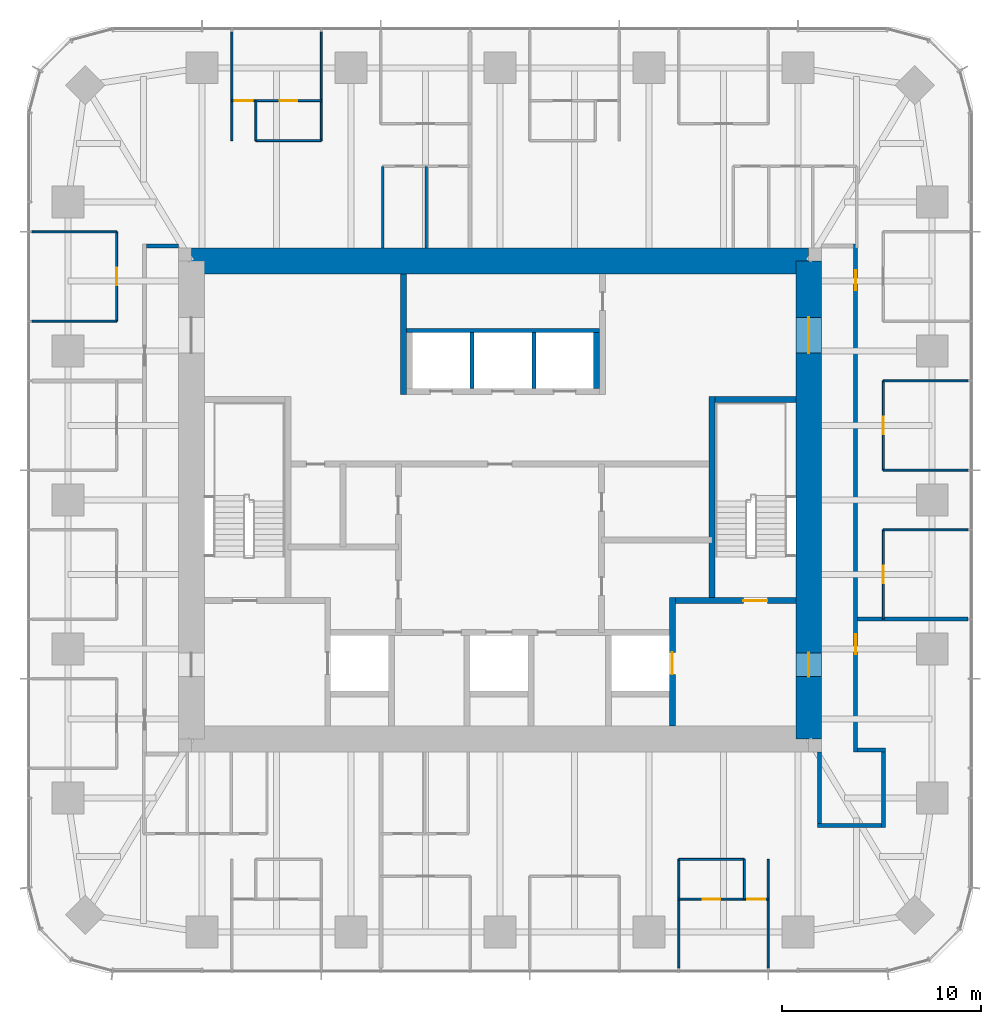
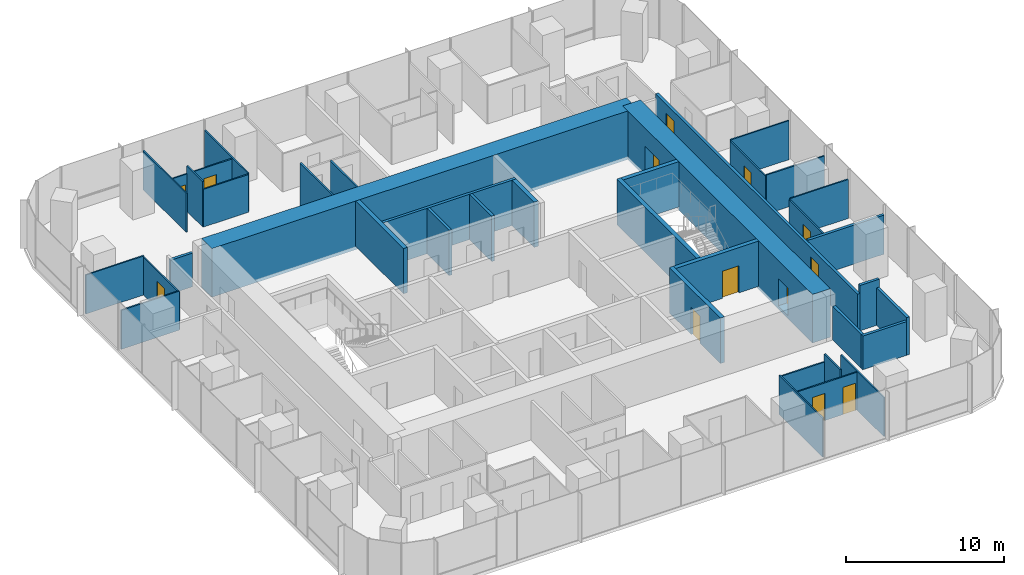
# One storey, part 10 of 12: 38 walls, 13 doors, 13 openings.
"""IFC4 building model written with IfcOpenShell, lengths in metres."""

from ifc_helpers import new_model, si_unit, direction, frame, frame_2d, origin, place, context, subcontext, project, spatial, rectangle, extrude, material, layer, layer_set, type_object, element, fill, save


model = new_model("IFC4")

# Units and contexts
model_context = context("Model", 3, precision=1e-05, world=origin(), true_north=direction((0.0, 1.0)))
body_context = subcontext(model_context, "Body", "Model", "MODEL_VIEW")
ifc_project = project(units=[si_unit("LENGTHUNIT", "METRE"), si_unit("AREAUNIT", "SQUARE_METRE"), si_unit("VOLUMEUNIT", "CUBIC_METRE"), si_unit("PLANEANGLEUNIT", "RADIAN"), si_unit("MASSUNIT", "GRAM", prefix="KILO")], contexts=[model_context])

# Site, building, storey
site_placement = place(None, origin())
site = spatial("IfcSite", under=ifc_project, at=site_placement, CompositionType="ELEMENT")
building_placement = place(site_placement, origin())
building = spatial("IfcBuilding", under=site, at=building_placement, Name="Khuree Lantern Residences", CompositionType="ELEMENT")
storey_placement = place(building_placement, frame((0.0, 0.0, 300.75)))
storey = spatial("IfcBuildingStorey", under=building, at=storey_placement, Name="L75", CompositionType="ELEMENT", Elevation=300.75)

# Walls
ifc_material_1 = material(Name="Moisture-resistant gypsum board on steel studs", Category="steel")
ifc_layer_1 = layer(ifc_material_1, 0.125)
ifc_layer_set_1 = layer_set([ifc_layer_1], Name="BATHROOM WALL BTW125")
wall_type_1 = type_object("IfcWallType", Name="BATHROOM WALL BTW125", PredefinedType="PARTITIONING", material=ifc_layer_set_1)
wall_1_placement = place(storey_placement, frame((-3.696044921875, 12.64990234375, 0.0), z_axis=(0.0, 0.0, 1.0), x_axis=(0.0, 1.0, 0.0)))
element("IfcWall", 1, at=wall_1_placement, inside=storey, type_object=wall_type_1, Name="L75 BATHROOM WALL 02", PredefinedType="PARTITIONING", context=body_context, shape_type="SweptSolid", body=[
    extrude(rectangle(XDim=4.096435546875, YDim=0.125, at=frame_2d((2.04833984375, 0.0))), origin(), (0.0, 0.0, 1.0), 2.909912109375),
])
wall_2_placement = place(storey_placement, frame((-5.89599609375, 12.64990234375, 0.0), z_axis=(0.0, 0.0, 1.0), x_axis=(0.0, 1.0, 0.0)))
element("IfcWall", 2, at=wall_2_placement, inside=storey, type_object=wall_type_1, Name="L75 BATHROOM WALL 02", PredefinedType="PARTITIONING", context=body_context, shape_type="SweptSolid", body=[
    extrude(rectangle(XDim=4.096435546875, YDim=0.125, at=frame_2d((2.04833984375, 0.0))), origin(), (0.0, 0.0, 1.0), 3.5),
])

# Wall, opening, door
ifc_material_2 = material(Name="Dense concrete blockwork", Category="masonry")
ifc_layer_2 = layer(ifc_material_2, 0.300048828125)
ifc_layer_set_2 = layer_set([ifc_layer_2], Name="CORE PARTITION WALL CPW300 EI 120")
wall_type_2 = type_object("IfcWallType", Name="CORE PARTITION WALL CPW300 EI 120", PredefinedType="PARTITIONING", material=ifc_layer_set_2)
wall_3_placement = place(storey_placement, frame((8.64990234375, -11.35009765625, 0.0), z_axis=(0.0, 0.0, 1.0), x_axis=(0.0, 1.0, 0.0)))
wall_3 = element("IfcWall", 3, at=wall_3_placement, inside=storey, type_object=wall_type_2, Name="L75 CORE WALL FL2E", PredefinedType="PARTITIONING", context=body_context, shape_type="SweptSolid", body=[
    extrude(rectangle(XDim=6.4501953125, YDim=0.300048828125, at=frame_2d((3.22509765625, 0.0))), origin(), (0.0, 0.0, 1.0), 3.5),
])
opening_1_placement = place(wall_3_placement, frame((2.60009765625, 0.0, 0.0)))
opening_1 = element("IfcOpeningElement", 4, at=opening_1_placement, cuts=wall_3, Name="Opening 75-008", PredefinedType="OPENING", context=body_context, shape_type="SweptSolid", body=[
    extrude(rectangle(XDim=1.10009765625, YDim=2.10009765625, at=frame_2d((0.550048828125, 1.050048828125))), frame((0.0, 0.16015625, 0.0), z_axis=(0.0, -1.0, 0.0), x_axis=(1.0, 0.0, 0.0)), (0.0, 0.0, 1.0), 0.320068359375),
])
ifc_material_3 = material(Name="Stainless steel lift landing door", Category="steel")
door_type_1 = type_object("IfcDoorType", Name="LIFT LANDING DOOR 1100X2100 E 120", OperationType="DOUBLE_DOOR_SLIDING", PredefinedType="DOOR", material=ifc_material_3)
door_1_placement = place(opening_1_placement, origin())
door_1 = element("IfcDoor", 5, at=door_1_placement, inside=storey, type_object=door_type_1, Name="Landing door FL2 75-008", OperationType="DOUBLE_DOOR_SLIDING", OverallHeight=2.10009765625, OverallWidth=1.10009765625, PredefinedType="DOOR", context=body_context, shape_type="SweptSolid", body=[
    extrude(rectangle(XDim=1.10009765625, YDim=2.10009765625, at=frame_2d((0.550048828125, 1.050048828125))), frame((0.0, 0.02490234375, 0.0), z_axis=(0.0, -1.0, 0.0), x_axis=(1.0, 0.0, 0.0)), (0.0, 0.0, 1.0), 0.050048828125),
])
fill(opening_1, door_1)

# Walls
wall_4_placement = place(storey_placement, frame((4.85009765625, 5.60009765625, 0.0), z_axis=(0.0, 0.0, 1.0), x_axis=(0.0, 1.0, 0.0)))
element("IfcWall", 6, at=wall_4_placement, inside=storey, type_object=wall_type_2, Name="L75 CORE WALL PHE", PredefinedType="PARTITIONING", context=body_context, shape_type="SweptSolid", body=[
    extrude(rectangle(XDim=2.7998046875, YDim=0.300048828125, at=frame_2d((1.39990234375, 0.0))), origin(), (0.0, 0.0, 1.0), 3.5),
])
wall_5_placement = place(storey_placement, frame((-4.85009765625, 5.300048828125, 0.0), z_axis=(0.0, 0.0, 1.0), x_axis=(0.0, 1.0, 0.0)))
element("IfcWall", 7, at=wall_5_placement, inside=storey, type_object=wall_type_2, Name="L75 CORE WALL NW", PredefinedType="PARTITIONING", context=body_context, shape_type="SweptSolid", body=[
    extrude(rectangle(XDim=6.050048828125, YDim=0.300048828125, at=frame_2d((3.02490234375, 0.0))), origin(), (0.0, 0.0, 1.0), 3.5),
])
ifc_material_4 = material(Name="Gypsum board on steel studs", Category="steel")
ifc_layer_3 = layer(ifc_material_4, 0.199951171875)
ifc_layer_set_3 = layer_set([ifc_layer_3], Name="CORRIDOR WALL CRW200 EI 60")
wall_type_3 = type_object("IfcWallType", Name="CORRIDOR WALL CRW200 EI 60", PredefinedType="PARTITIONING", material=ifc_layer_set_3)
wall_6_placement = place(storey_placement, frame((17.949951171875, -12.550048828125, 0.0), z_axis=(0.0, 0.0, 1.0), x_axis=(1.0, 0.0, 0.0)))
element("IfcWall", 8, at=wall_6_placement, inside=storey, type_object=wall_type_3, Name="L75 RESIDENTS LOUNGE WALL", PredefinedType="PARTITIONING", context=body_context, shape_type="SweptSolid", body=[
    extrude(rectangle(XDim=1.400146484375, YDim=0.199951171875, at=frame_2d((0.7001953125, 0.0))), origin(), (0.0, 0.0, 1.0), 3.5),
])
wall_7_placement = place(storey_placement, frame((19.25, -12.449951171875, 0.0), z_axis=(0.0, 0.0, 1.0), x_axis=(0.0, -1.0, 0.0)))
element("IfcWall", 9, at=wall_7_placement, inside=storey, type_object=wall_type_3, Name="L75 RESIDENTS LOUNGE WALL", PredefinedType="PARTITIONING", context=body_context, shape_type="SweptSolid", body=[
    extrude(rectangle(XDim=4.0, YDim=0.199951171875, at=frame_2d((2.0, 0.0))), origin(), (0.0, 0.0, 1.0), 2.89990234375),
])
wall_8_placement = place(storey_placement, frame((19.14990234375, -16.35009765625, 0.0), z_axis=(0.0, 0.0, 1.0), x_axis=(-1.0, 0.0, 0.0)))
element("IfcWall", 10, at=wall_8_placement, inside=storey, type_object=wall_type_3, Name="L75 RESIDENTS LOUNGE WALL", PredefinedType="PARTITIONING", context=body_context, shape_type="SweptSolid", body=[
    extrude(rectangle(XDim=3.199951171875, YDim=0.199951171875, at=frame_2d((1.60009765625, 0.0))), origin(), (0.0, 0.0, 1.0), 2.60009765625),
])
wall_9_placement = place(storey_placement, frame((16.050048828125, -16.449951171875, 0.0), z_axis=(0.0, 0.0, 1.0), x_axis=(0.0, 1.0, 0.0)))
element("IfcWall", 11, at=wall_9_placement, inside=storey, type_object=wall_type_3, Name="L75 RESIDENTS LOUNGE WALL", PredefinedType="PARTITIONING", context=body_context, shape_type="SweptSolid", body=[
    extrude(rectangle(XDim=3.800048828125, YDim=0.199951171875, at=frame_2d((1.89990234375, 0.0))), origin(), (0.0, 0.0, 1.0), 2.60009765625),
])
wall_10_placement = place(storey_placement, frame((-16.14990234375, 12.75, 0.0), z_axis=(0.0, 0.0, 1.0), x_axis=(-1.0, 0.0, 0.0)))
element("IfcWall", 12, at=wall_10_placement, inside=storey, type_object=wall_type_3, Name="L75 WEST CORRIDOR NORTH END WALL", PredefinedType="PARTITIONING", context=body_context, shape_type="SweptSolid", body=[
    extrude(rectangle(XDim=1.60009765625, YDim=0.199951171875, at=frame_2d((0.800048828125, 0.0))), origin(), (0.0, 0.0, 1.0), 2.60009765625),
])

# Wall, openings, doors
wall_11_placement = place(storey_placement, frame((17.85009765625, -12.64990234375, 0.0), z_axis=(0.0, 0.0, 1.0), x_axis=(0.0, 1.0, 0.0)))
wall_11 = element("IfcWall", 13, at=wall_11_placement, inside=storey, type_object=wall_type_3, Name="L75 CORRIDOR WALL EAST 1", PredefinedType="PARTITIONING", context=body_context, shape_type="SweptSolid", body=[
    extrude(rectangle(XDim=25.5, YDim=0.199951171875, at=frame_2d((12.75, 0.0))), origin(), (0.0, 0.0, 1.0), 2.89990234375),
])
opening_2_placement = place(wall_11_placement, frame((23.18603515625, 0.0, 0.0)))
opening_2 = element("IfcOpeningElement", 14, at=opening_2_placement, cuts=wall_11, Name="Opening 75-031", PredefinedType="OPENING", context=body_context, shape_type="SweptSolid", body=[
    extrude(rectangle(XDim=1.0, YDim=2.199951171875, at=frame_2d((0.5, 1.10009765625))), frame((0.0, 0.10986328125, 0.0), z_axis=(0.0, -1.0, 0.0), x_axis=(1.0, 0.0, 0.0)), (0.0, 0.0, 1.0), 0.219970703125),
])
opening_3_placement = place(wall_11_placement, frame((4.89990234375, 0.0, 0.0)))
opening_3 = element("IfcOpeningElement", 15, at=opening_3_placement, cuts=wall_11, Name="Opening 75-054", PredefinedType="OPENING", context=body_context, shape_type="SweptSolid", body=[
    extrude(rectangle(XDim=1.0, YDim=2.199951171875, at=frame_2d((0.5, 1.10009765625))), frame((0.0, 0.10986328125, 0.0), z_axis=(0.0, -1.0, 0.0), x_axis=(1.0, 0.0, 0.0)), (0.0, 0.0, 1.0), 0.219970703125),
])
ifc_material_5 = material(Name="Timber door leaf in hardwood frame", Category="wood")
door_type_2 = type_object("IfcDoorType", Name="APARTMENT ENTRANCE DOOR 1000X2200 EI 30S", OperationType="SINGLE_SWING_LEFT", PredefinedType="DOOR", material=ifc_material_5)
door_2_placement = place(opening_3_placement, origin())
door_2 = element("IfcDoor", 16, at=door_2_placement, inside=storey, type_object=door_type_2, Name="Apartment 04 entrance door 75-054", OperationType="SINGLE_SWING_LEFT", OverallHeight=2.199951171875, OverallWidth=1.0, PredefinedType="DOOR", context=body_context, shape_type="SweptSolid", body=[
    extrude(rectangle(XDim=1.0, YDim=2.199951171875, at=frame_2d((0.5, 1.10009765625))), frame((0.0, 0.02490234375, 0.0), z_axis=(0.0, -1.0, 0.0), x_axis=(1.0, 0.0, 0.0)), (0.0, 0.0, 1.0), 0.050048828125),
])
fill(opening_3, door_2)
door_type_3 = type_object("IfcDoorType", Name="APARTMENT ENTRANCE DOOR 1000X2200 EI 30S RIGHT HAND", OperationType="SINGLE_SWING_RIGHT", PredefinedType="DOOR", material=ifc_material_5)
door_3_placement = place(opening_2_placement, origin())
door_3 = element("IfcDoor", 17, at=door_3_placement, inside=storey, type_object=door_type_3, Name="Apartment 01 entrance door 75-031", OperationType="SINGLE_SWING_RIGHT", OverallHeight=2.199951171875, OverallWidth=1.0, PredefinedType="DOOR", context=body_context, shape_type="SweptSolid", body=[
    extrude(rectangle(XDim=1.0, YDim=2.199951171875, at=frame_2d((0.5, 1.10009765625))), frame((0.0, 0.02490234375, 0.0), z_axis=(0.0, -1.0, 0.0), x_axis=(1.0, 0.0, 0.0)), (0.0, 0.0, 1.0), 0.050048828125),
])
fill(opening_2, door_3)

ifc_material_6 = material(Name="Concrete C50/60", Category="concrete")
ifc_layer_4 = layer(ifc_material_6, 1.300048828125)
ifc_layer_set_4 = layer_set([ifc_layer_4], Name="CW1300-C50 CORE WALL C50 1300")
wall_type_4 = type_object("IfcWallType", Name="CW1300-C50 CORE WALL C50 1300", PredefinedType="SHEAR", material=ifc_layer_set_4)
wall_12_placement = place(storey_placement, frame((15.5, -12.0, -0.25), z_axis=(0.0, 0.0, 1.0), x_axis=(0.0, 1.0, 0.0)))
wall_12 = element("IfcWall", 18, at=wall_12_placement, inside=storey, type_object=wall_type_4, Name="Core wall E", PredefinedType="SHEAR", context=body_context, shape_type="SweptSolid", body=[
    extrude(rectangle(XDim=24.0, YDim=1.300048828125, at=frame_2d((12.0, 0.0))), origin(), (0.0, 0.0, 1.0), 3.75),
])
opening_4_placement = place(wall_12_placement, frame((3.125, 0.0, 0.25)))
opening_4 = element("IfcOpeningElement", 19, at=opening_4_placement, cuts=wall_12, Name="Opening 75-005", PredefinedType="OPENING", context=body_context, shape_type="SweptSolid", body=[
    extrude(rectangle(XDim=1.199951171875, YDim=2.10009765625, at=frame_2d((0.60009765625, 1.050048828125))), frame((0.0, 0.66015625, 0.0), z_axis=(0.0, -1.0, 0.0), x_axis=(1.0, 0.0, 0.0)), (0.0, 0.0, 1.0), 1.320068359375),
])
opening_5_placement = place(wall_12_placement, frame((19.375, 0.0, 0.25)))
opening_5 = element("IfcOpeningElement", 20, at=opening_5_placement, cuts=wall_12, Name="Opening 75-006", PredefinedType="OPENING", context=body_context, shape_type="SweptSolid", body=[
    extrude(rectangle(XDim=1.800048828125, YDim=2.10009765625, at=frame_2d((0.89990234375, 1.050048828125))), frame((0.0, 0.66015625, 0.0), z_axis=(0.0, -1.0, 0.0), x_axis=(1.0, 0.0, 0.0)), (0.0, 0.0, 1.0), 1.320068359375),
])
ifc_material_7 = material(Name="Steel door leaf in steel frame", Category="steel")
door_type_4 = type_object("IfcDoorType", Name="LOBBY DOOR 1200X2100 EI 120", OperationType="SINGLE_SWING_LEFT", PredefinedType="DOOR", material=ifc_material_7)
door_4_placement = place(opening_4_placement, origin())
door_4 = element("IfcDoor", 21, at=door_4_placement, inside=storey, type_object=door_type_4, Name="Firefighting lobby door 75-005", OperationType="SINGLE_SWING_LEFT", OverallHeight=2.10009765625, OverallWidth=1.199951171875, PredefinedType="DOOR", context=body_context, shape_type="SweptSolid", body=[
    extrude(rectangle(XDim=1.199951171875, YDim=2.10009765625, at=frame_2d((0.60009765625, 1.050048828125))), frame((0.0, 0.02490234375, 0.0), z_axis=(0.0, -1.0, 0.0), x_axis=(1.0, 0.0, 0.0)), (0.0, 0.0, 1.0), 0.050048828125),
])
fill(opening_4, door_4)
door_type_5 = type_object("IfcDoorType", Name="LOBBY DOUBLE DOOR 1800X2100 EI 60", OperationType="DOUBLE_DOOR_SINGLE_SWING", PredefinedType="DOOR", material=ifc_material_7)
door_5_placement = place(opening_5_placement, origin())
door_5 = element("IfcDoor", 22, at=door_5_placement, inside=storey, type_object=door_type_5, Name="Lift lobby door 75-006", OperationType="DOUBLE_DOOR_SINGLE_SWING", OverallHeight=2.10009765625, OverallWidth=1.800048828125, PredefinedType="DOOR", context=body_context, shape_type="SweptSolid", body=[
    extrude(rectangle(XDim=1.800048828125, YDim=2.10009765625, at=frame_2d((0.89990234375, 1.050048828125))), frame((0.0, 0.02490234375, 0.0), z_axis=(0.0, -1.0, 0.0), x_axis=(1.0, 0.0, 0.0)), (0.0, 0.0, 1.0), 0.050048828125),
])
fill(opening_5, door_5)

# Walls
wall_13_placement = place(storey_placement, frame((-15.5, 12.0, -0.25), z_axis=(0.0, 0.0, 1.0), x_axis=(1.0, 0.0, 0.0)))
element("IfcWall", 23, at=wall_13_placement, inside=storey, type_object=wall_type_4, Name="Core wall N", PredefinedType="SHEAR", context=body_context, shape_type="SweptSolid", body=[
    extrude(rectangle(XDim=31.0, YDim=1.300048828125, at=frame_2d((15.5, 0.0))), origin(), (0.0, 0.0, 1.0), 3.75),
])
ifc_layer_5 = layer(ifc_material_4, 0.199951171875)
ifc_layer_set_5 = layer_set([ifc_layer_5], Name="DEMISING WALL DMW200 EI 90")
wall_type_5 = type_object("IfcWallType", Name="DEMISING WALL DMW200 EI 90", PredefinedType="PARTITIONING", material=ifc_layer_set_5)
wall_14_placement = place(storey_placement, frame((17.949951171875, -5.98388671875, 0.0), z_axis=(0.0, 0.0, 1.0), x_axis=(1.0, 0.0, 0.0)))
element("IfcWall", 24, at=wall_14_placement, inside=storey, type_object=wall_type_5, Name="L75 DEMISING WALL 01", PredefinedType="PARTITIONING", context=body_context, shape_type="SweptSolid", body=[
    extrude(rectangle(XDim=5.550048828125, YDim=0.199951171875, at=frame_2d((2.77490234375, 0.0))), origin(), (0.0, 0.0, 1.0), 3.010009765625),
])
ifc_layer_6 = layer(ifc_material_4, 0.10009765625)
ifc_layer_set_6 = layer_set([ifc_layer_6], Name="PARTITION PT100")
wall_type_6 = type_object("IfcWallType", Name="PARTITION PT100", PredefinedType="PARTITIONING", material=ifc_layer_set_6)
for number, where, z_axis, x_axis, name in (
    (25, (19.25, -1.49609375, 0.0), (0.0, 0.0, 1.0), (1.0, 0.0, 0.0), "L75 PARTITION 01"),
    (26, (19.25, 1.49609375, 0.0), (0.0, 0.0, 1.0), (1.0, 0.0, 0.0), "L75 PARTITION 01"),
    (27, (19.25, 5.98388671875, 0.0), (0.0, 0.0, 1.0), (1.0, 0.0, 0.0), "L75 PARTITION 01"),
):
    element("IfcWall", number, at=place(storey_placement, frame(where, z_axis=z_axis, x_axis=x_axis)), inside=storey, type_object=wall_type_6, Name=name, PredefinedType="PARTITIONING", context=body_context, shape_type="SweptSolid", body=[
        extrude(rectangle(XDim=4.25, YDim=0.10009765625, at=frame_2d((2.125, 0.0))), origin(), (0.0, 0.0, 1.0), 3.010009765625),
    ])
for number, where, z_axis, x_axis, name in (
    (28, (-8.97607421875, 18.04638671875, 0.0), (0.0, 0.0, 1.0), (0.0, 1.0, 0.0), "L75 PARTITION 02"),
    (29, (-13.464111328125, 18.04638671875, 0.0), (0.0, 0.0, 1.0), (0.0, 1.0, 0.0), "L75 PARTITION 02"),
):
    element("IfcWall", number, at=place(storey_placement, frame(where, z_axis=z_axis, x_axis=x_axis)), inside=storey, type_object=wall_type_6, Name=name, PredefinedType="PARTITIONING", context=body_context, shape_type="SweptSolid", body=[
        extrude(rectangle(XDim=5.45361328125, YDim=0.10009765625, at=frame_2d((2.726806640625, 0.0))), origin(), (0.0, 0.0, 1.0), 3.010009765625),
    ])
for number, where, z_axis, x_axis, name in (
    (30, (-19.25, 13.464111328125, 0.0), (0.0, 0.0, 1.0), (-1.0, 0.0, 0.0), "L75 PARTITION 02"),
    (31, (-19.25, 8.97607421875, 0.0), (0.0, 0.0, 1.0), (-1.0, 0.0, 0.0), "L75 PARTITION 02"),
):
    element("IfcWall", number, at=place(storey_placement, frame(where, z_axis=z_axis, x_axis=x_axis)), inside=storey, type_object=wall_type_6, Name=name, PredefinedType="PARTITIONING", context=body_context, shape_type="SweptSolid", body=[
        extrude(rectangle(XDim=4.25, YDim=0.10009765625, at=frame_2d((2.125, 0.0))), origin(), (0.0, 0.0, 1.0), 3.010009765625),
    ])
for number, where, z_axis, x_axis, name in (
    (32, (8.97607421875, -18.04638671875, 0.0), (0.0, 0.0, 1.0), (0.0, -1.0, 0.0), "L75 PARTITION 04"),
    (33, (13.464111328125, -18.04638671875, 0.0), (0.0, 0.0, 1.0), (0.0, -1.0, 0.0), "L75 PARTITION 04"),
):
    element("IfcWall", number, at=place(storey_placement, frame(where, z_axis=z_axis, x_axis=x_axis)), inside=storey, type_object=wall_type_6, Name=name, PredefinedType="PARTITIONING", context=body_context, shape_type="SweptSolid", body=[
        extrude(rectangle(XDim=5.45361328125, YDim=0.10009765625, at=frame_2d((2.726806640625, 0.0))), origin(), (0.0, 0.0, 1.0), 3.010009765625),
    ])

# Wall, opening, door
wall_15_placement = place(storey_placement, frame((19.25, -5.98388671875, 0.0), z_axis=(0.0, 0.0, 1.0), x_axis=(0.0, 1.0, 0.0)))
wall_15 = element("IfcWall", 34, at=wall_15_placement, inside=storey, type_object=wall_type_6, Name="L75 PARTITION 01", PredefinedType="PARTITIONING", context=body_context, shape_type="SweptSolid", body=[
    extrude(rectangle(XDim=4.48779296875, YDim=0.10009765625, at=frame_2d((2.243896484375, 0.0))), origin(), (0.0, 0.0, 1.0), 2.909912109375),
])
opening_6_placement = place(wall_15_placement, frame((1.7939453125, 0.0, 0.0)))
opening_6 = element("IfcOpeningElement", 35, at=opening_6_placement, cuts=wall_15, Name="Opening 75-022", PredefinedType="OPENING", context=body_context, shape_type="SweptSolid", body=[
    extrude(rectangle(XDim=0.89990234375, YDim=2.10009765625, at=frame_2d((0.449951171875, 1.050048828125))), frame((0.0, 0.06005859375, 0.0), z_axis=(0.0, -1.0, 0.0), x_axis=(1.0, 0.0, 0.0)), (0.0, 0.0, 1.0), 0.1201171875),
])
door_type_6 = type_object("IfcDoorType", Name="BEDROOM DOOR 900X2100", OperationType="SINGLE_SWING_LEFT", PredefinedType="DOOR", material=ifc_material_5)
door_6_placement = place(opening_6_placement, origin())
door_6 = element("IfcDoor", 36, at=door_6_placement, inside=storey, type_object=door_type_6, Name="Bedroom door 75-022", OperationType="SINGLE_SWING_LEFT", OverallHeight=2.10009765625, OverallWidth=0.89990234375, PredefinedType="DOOR", context=body_context, shape_type="SweptSolid", body=[
    extrude(rectangle(XDim=0.89990234375, YDim=2.10009765625, at=frame_2d((0.449951171875, 1.050048828125))), frame((0.0, 0.02490234375, 0.0), z_axis=(0.0, -1.0, 0.0), x_axis=(1.0, 0.0, 0.0)), (0.0, 0.0, 1.0), 0.050048828125),
])
fill(opening_6, door_6)

wall_16_placement = place(storey_placement, frame((19.25, 1.49609375, 0.0), z_axis=(0.0, 0.0, 1.0), x_axis=(0.0, 1.0, 0.0)))
wall_16 = element("IfcWall", 37, at=wall_16_placement, inside=storey, type_object=wall_type_6, Name="L75 PARTITION 01", PredefinedType="PARTITIONING", context=body_context, shape_type="SweptSolid", body=[
    extrude(rectangle(XDim=4.48779296875, YDim=0.10009765625, at=frame_2d((2.243896484375, 0.0))), origin(), (0.0, 0.0, 1.0), 2.909912109375),
])
opening_7_placement = place(wall_16_placement, frame((1.7939453125, 0.0, 0.0)))
opening_7 = element("IfcOpeningElement", 38, at=opening_7_placement, cuts=wall_16, Name="Opening 75-023", PredefinedType="OPENING", context=body_context, shape_type="SweptSolid", body=[
    extrude(rectangle(XDim=0.89990234375, YDim=2.10009765625, at=frame_2d((0.449951171875, 1.050048828125))), frame((0.0, 0.06005859375, 0.0), z_axis=(0.0, -1.0, 0.0), x_axis=(1.0, 0.0, 0.0)), (0.0, 0.0, 1.0), 0.1201171875),
])
door_7_placement = place(opening_7_placement, origin())
door_7 = element("IfcDoor", 39, at=door_7_placement, inside=storey, type_object=door_type_6, Name="Bedroom door 75-023", OperationType="SINGLE_SWING_LEFT", OverallHeight=2.10009765625, OverallWidth=0.89990234375, PredefinedType="DOOR", context=body_context, shape_type="SweptSolid", body=[
    extrude(rectangle(XDim=0.89990234375, YDim=2.10009765625, at=frame_2d((0.449951171875, 1.050048828125))), frame((0.0, 0.02490234375, 0.0), z_axis=(0.0, -1.0, 0.0), x_axis=(1.0, 0.0, 0.0)), (0.0, 0.0, 1.0), 0.050048828125),
])
fill(opening_7, door_7)

# Wall, openings, doors
wall_17_placement = place(storey_placement, frame((-8.97607421875, 20.04638671875, 0.0), z_axis=(0.0, 0.0, 1.0), x_axis=(-1.0, 0.0, 0.0)))
wall_17 = element("IfcWall", 40, at=wall_17_placement, inside=storey, type_object=wall_type_6, Name="L75 PARTITION 02", PredefinedType="PARTITIONING", context=body_context, shape_type="SweptSolid", body=[
    extrude(rectangle(XDim=4.488037109375, YDim=0.10009765625, at=frame_2d((2.244140625, 0.0))), origin(), (0.0, 0.0, 1.0), 2.909912109375),
])
opening_8_placement = place(wall_17_placement, frame((3.43798828125, 0.0, 0.0)))
opening_8 = element("IfcOpeningElement", 41, at=opening_8_placement, cuts=wall_17, Name="Opening 75-033", PredefinedType="OPENING", context=body_context, shape_type="SweptSolid", body=[
    extrude(rectangle(XDim=0.89990234375, YDim=2.10009765625, at=frame_2d((0.449951171875, 1.050048828125))), frame((0.0, 0.06005859375, 0.0), z_axis=(0.0, -1.0, 0.0), x_axis=(1.0, 0.0, 0.0)), (0.0, 0.0, 1.0), 0.1201171875),
])
opening_9_placement = place(wall_17_placement, frame((1.194091796875, 0.0, 0.0)))
opening_9 = element("IfcOpeningElement", 42, at=opening_9_placement, cuts=wall_17, Name="Opening 75-034", PredefinedType="OPENING", context=body_context, shape_type="SweptSolid", body=[
    extrude(rectangle(XDim=0.89990234375, YDim=2.10009765625, at=frame_2d((0.449951171875, 1.050048828125))), frame((0.0, 0.06005859375, 0.0), z_axis=(0.0, -1.0, 0.0), x_axis=(1.0, 0.0, 0.0)), (0.0, 0.0, 1.0), 0.1201171875),
])
door_8_placement = place(opening_8_placement, origin())
door_8 = element("IfcDoor", 43, at=door_8_placement, inside=storey, type_object=door_type_6, Name="Bedroom door 75-033", OperationType="SINGLE_SWING_LEFT", OverallHeight=2.10009765625, OverallWidth=0.89990234375, PredefinedType="DOOR", context=body_context, shape_type="SweptSolid", body=[
    extrude(rectangle(XDim=0.89990234375, YDim=2.10009765625, at=frame_2d((0.449951171875, 1.050048828125))), frame((0.0, 0.02490234375, 0.0), z_axis=(0.0, -1.0, 0.0), x_axis=(1.0, 0.0, 0.0)), (0.0, 0.0, 1.0), 0.050048828125),
])
fill(opening_8, door_8)
door_type_7 = type_object("IfcDoorType", Name="DOOR 900X2100", OperationType="SINGLE_SWING_LEFT", PredefinedType="DOOR", material=ifc_material_5)
door_9_placement = place(opening_9_placement, origin())
door_9 = element("IfcDoor", 44, at=door_9_placement, inside=storey, type_object=door_type_7, Name="Wardrobe door 75-034", OperationType="SINGLE_SWING_LEFT", OverallHeight=2.10009765625, OverallWidth=0.89990234375, PredefinedType="DOOR", context=body_context, shape_type="SweptSolid", body=[
    extrude(rectangle(XDim=0.89990234375, YDim=2.10009765625, at=frame_2d((0.449951171875, 1.050048828125))), frame((0.0, 0.02490234375, 0.0), z_axis=(0.0, -1.0, 0.0), x_axis=(1.0, 0.0, 0.0)), (0.0, 0.0, 1.0), 0.050048828125),
])
fill(opening_9, door_9)

# Walls
wall_18_placement = place(storey_placement, frame((-12.263916015625, 18.04638671875, 0.0), z_axis=(0.0, 0.0, 1.0), x_axis=(0.0, 1.0, 0.0)))
element("IfcWall", 45, at=wall_18_placement, inside=storey, type_object=wall_type_6, Name="L75 PARTITION 02", PredefinedType="PARTITIONING", context=body_context, shape_type="SweptSolid", body=[
    extrude(rectangle(XDim=2.0, YDim=0.10009765625, at=frame_2d((1.0, 0.0))), origin(), (0.0, 0.0, 1.0), 3.5),
])
wall_19_placement = place(storey_placement, frame((-8.97607421875, 18.04638671875, 0.0), z_axis=(0.0, 0.0, 1.0), x_axis=(-1.0, 0.0, 0.0)))
element("IfcWall", 46, at=wall_19_placement, inside=storey, type_object=wall_type_6, Name="L75 PARTITION 02", PredefinedType="PARTITIONING", context=body_context, shape_type="SweptSolid", body=[
    extrude(rectangle(XDim=3.287841796875, YDim=0.10009765625, at=frame_2d((1.64404296875, 0.0))), origin(), (0.0, 0.0, 1.0), 2.909912109375),
])

# Wall, opening, door
wall_20_placement = place(storey_placement, frame((-19.25, 13.464111328125, 0.0), z_axis=(0.0, 0.0, 1.0), x_axis=(0.0, -1.0, 0.0)))
wall_20 = element("IfcWall", 47, at=wall_20_placement, inside=storey, type_object=wall_type_6, Name="L75 PARTITION 02", PredefinedType="PARTITIONING", context=body_context, shape_type="SweptSolid", body=[
    extrude(rectangle(XDim=4.488037109375, YDim=0.10009765625, at=frame_2d((2.244140625, 0.0))), origin(), (0.0, 0.0, 1.0), 2.909912109375),
])
opening_10_placement = place(wall_20_placement, frame((1.7939453125, 0.0, 0.0)))
opening_10 = element("IfcOpeningElement", 48, at=opening_10_placement, cuts=wall_20, Name="Opening 75-035", PredefinedType="OPENING", context=body_context, shape_type="SweptSolid", body=[
    extrude(rectangle(XDim=0.89990234375, YDim=2.10009765625, at=frame_2d((0.449951171875, 1.050048828125))), frame((0.0, 0.06005859375, 0.0), z_axis=(0.0, -1.0, 0.0), x_axis=(1.0, 0.0, 0.0)), (0.0, 0.0, 1.0), 0.1201171875),
])
door_10_placement = place(opening_10_placement, origin())
door_10 = element("IfcDoor", 49, at=door_10_placement, inside=storey, type_object=door_type_6, Name="Bedroom door 75-035", OperationType="SINGLE_SWING_LEFT", OverallHeight=2.10009765625, OverallWidth=0.89990234375, PredefinedType="DOOR", context=body_context, shape_type="SweptSolid", body=[
    extrude(rectangle(XDim=0.89990234375, YDim=2.10009765625, at=frame_2d((0.449951171875, 1.050048828125))), frame((0.0, 0.02490234375, 0.0), z_axis=(0.0, -1.0, 0.0), x_axis=(1.0, 0.0, 0.0)), (0.0, 0.0, 1.0), 0.050048828125),
])
fill(opening_10, door_10)

# Wall, openings, doors
wall_21_placement = place(storey_placement, frame((8.97607421875, -20.04638671875, 0.0), z_axis=(0.0, 0.0, 1.0), x_axis=(1.0, 0.0, 0.0)))
wall_21 = element("IfcWall", 50, at=wall_21_placement, inside=storey, type_object=wall_type_6, Name="L75 PARTITION 04", PredefinedType="PARTITIONING", context=body_context, shape_type="SweptSolid", body=[
    extrude(rectangle(XDim=4.488037109375, YDim=0.10009765625, at=frame_2d((2.244140625, 0.0))), origin(), (0.0, 0.0, 1.0), 2.909912109375),
])
opening_11_placement = place(wall_21_placement, frame((3.43798828125, 0.0, 0.0)))
opening_11 = element("IfcOpeningElement", 51, at=opening_11_placement, cuts=wall_21, Name="Opening 75-050", PredefinedType="OPENING", context=body_context, shape_type="SweptSolid", body=[
    extrude(rectangle(XDim=0.89990234375, YDim=2.10009765625, at=frame_2d((0.449951171875, 1.050048828125))), frame((0.0, 0.06005859375, 0.0), z_axis=(0.0, -1.0, 0.0), x_axis=(1.0, 0.0, 0.0)), (0.0, 0.0, 1.0), 0.1201171875),
])
opening_12_placement = place(wall_21_placement, frame((1.194091796875, 0.0, 0.0)))
opening_12 = element("IfcOpeningElement", 52, at=opening_12_placement, cuts=wall_21, Name="Opening 75-051", PredefinedType="OPENING", context=body_context, shape_type="SweptSolid", body=[
    extrude(rectangle(XDim=0.89990234375, YDim=2.10009765625, at=frame_2d((0.449951171875, 1.050048828125))), frame((0.0, 0.06005859375, 0.0), z_axis=(0.0, -1.0, 0.0), x_axis=(1.0, 0.0, 0.0)), (0.0, 0.0, 1.0), 0.1201171875),
])
door_11_placement = place(opening_11_placement, origin())
door_11 = element("IfcDoor", 53, at=door_11_placement, inside=storey, type_object=door_type_6, Name="Bedroom door 75-050", OperationType="SINGLE_SWING_LEFT", OverallHeight=2.10009765625, OverallWidth=0.89990234375, PredefinedType="DOOR", context=body_context, shape_type="SweptSolid", body=[
    extrude(rectangle(XDim=0.89990234375, YDim=2.10009765625, at=frame_2d((0.449951171875, 1.050048828125))), frame((0.0, 0.02490234375, 0.0), z_axis=(0.0, -1.0, 0.0), x_axis=(1.0, 0.0, 0.0)), (0.0, 0.0, 1.0), 0.050048828125),
])
fill(opening_11, door_11)
door_12_placement = place(opening_12_placement, origin())
door_12 = element("IfcDoor", 54, at=door_12_placement, inside=storey, type_object=door_type_7, Name="Wardrobe door 75-051", OperationType="SINGLE_SWING_LEFT", OverallHeight=2.10009765625, OverallWidth=0.89990234375, PredefinedType="DOOR", context=body_context, shape_type="SweptSolid", body=[
    extrude(rectangle(XDim=0.89990234375, YDim=2.10009765625, at=frame_2d((0.449951171875, 1.050048828125))), frame((0.0, 0.02490234375, 0.0), z_axis=(0.0, -1.0, 0.0), x_axis=(1.0, 0.0, 0.0)), (0.0, 0.0, 1.0), 0.050048828125),
])
fill(opening_12, door_12)

# Walls
wall_22_placement = place(storey_placement, frame((12.263916015625, -18.04638671875, 0.0), z_axis=(0.0, 0.0, 1.0), x_axis=(0.0, -1.0, 0.0)))
element("IfcWall", 55, at=wall_22_placement, inside=storey, type_object=wall_type_6, Name="L75 PARTITION 04", PredefinedType="PARTITIONING", context=body_context, shape_type="SweptSolid", body=[
    extrude(rectangle(XDim=2.0, YDim=0.10009765625, at=frame_2d((1.0, 0.0))), origin(), (0.0, 0.0, 1.0), 3.5),
])
wall_23_placement = place(storey_placement, frame((8.97607421875, -18.04638671875, 0.0), z_axis=(0.0, 0.0, 1.0), x_axis=(1.0, 0.0, 0.0)))
element("IfcWall", 56, at=wall_23_placement, inside=storey, type_object=wall_type_6, Name="L75 PARTITION 04", PredefinedType="PARTITIONING", context=body_context, shape_type="SweptSolid", body=[
    extrude(rectangle(XDim=3.287841796875, YDim=0.10009765625, at=frame_2d((1.64404296875, 0.0))), origin(), (0.0, 0.0, 1.0), 2.909912109375),
])
ifc_layer_7 = layer(ifc_material_2, 0.199951171875)
ifc_layer_set_7 = layer_set([ifc_layer_7], Name="SHAFT WALL SHW200 EI 120")
wall_type_7 = type_object("IfcWallType", Name="SHAFT WALL SHW200 EI 120", PredefinedType="PARTITIONING", material=ifc_layer_set_7)
wall_24_placement = place(storey_placement, frame((-4.699951171875, 8.5, 0.0), z_axis=(0.0, 0.0, 1.0), x_axis=(1.0, 0.0, 0.0)))
element("IfcWall", 57, at=wall_24_placement, inside=storey, type_object=wall_type_7, Name="L75 CORE WALL PHN", PredefinedType="PARTITIONING", context=body_context, shape_type="SweptSolid", body=[
    extrude(rectangle(XDim=9.699951171875, YDim=0.199951171875, at=frame_2d((4.85009765625, 0.0))), origin(), (0.0, 0.0, 1.0), 3.5),
])
for number, where, z_axis, x_axis, name in (
    (58, (-1.39990234375, 5.60009765625, 0.0), (0.0, 0.0, 1.0), (0.0, 1.0, 0.0), "L75 CORE WALL PHD1"),
    (59, (1.699951171875, 5.60009765625, 0.0), (0.0, 0.0, 1.0), (0.0, 1.0, 0.0), "L75 CORE WALL PHD2"),
):
    element("IfcWall", number, at=place(storey_placement, frame(where, z_axis=z_axis, x_axis=x_axis)), inside=storey, type_object=wall_type_7, Name=name, PredefinedType="PARTITIONING", context=body_context, shape_type="SweptSolid", body=[
        extrude(rectangle(XDim=2.7998046875, YDim=0.199951171875, at=frame_2d((1.39990234375, 0.0))), origin(), (0.0, 0.0, 1.0), 3.5),
    ])
ifc_layer_8 = layer(ifc_material_6, 0.300048828125)
ifc_layer_set_8 = layer_set([ifc_layer_8], Name="STAIR WALL SRW300 C50/60 REI 240")
wall_type_8 = type_object("IfcWallType", Name="STAIR WALL SRW300 C50/60 REI 240", PredefinedType="SOLIDWALL", material=ifc_layer_set_8)
wall_25_placement = place(storey_placement, frame((10.64990234375, -4.89990234375, 0.0), z_axis=(0.0, 0.0, 1.0), x_axis=(0.0, 1.0, 0.0)))
element("IfcWall", 60, at=wall_25_placement, inside=storey, type_object=wall_type_8, Name="L75 STAIR WALL ST2E", PredefinedType="SOLIDWALL", context=body_context, shape_type="SweptSolid", body=[
    extrude(rectangle(XDim=10.099853515625, YDim=0.300048828125, at=frame_2d((5.0498046875, 0.0))), origin(), (0.0, 0.0, 1.0), 3.5),
])

# Wall, opening, door
wall_26_placement = place(storey_placement, frame((14.85009765625, -5.050048828125, 0.0), z_axis=(0.0, 0.0, 1.0), x_axis=(-1.0, 0.0, 0.0)))
wall_26 = element("IfcWall", 61, at=wall_26_placement, inside=storey, type_object=wall_type_8, Name="L75 STAIR WALL ST2S", PredefinedType="SOLIDWALL", context=body_context, shape_type="SweptSolid", body=[
    extrude(rectangle(XDim=6.050048828125, YDim=0.300048828125, at=frame_2d((3.02490234375, 0.0))), origin(), (0.0, 0.0, 1.0), 3.5),
])
opening_13_placement = place(wall_26_placement, frame((1.425048828125, 0.0, 0.0)))
opening_13 = element("IfcOpeningElement", 62, at=opening_13_placement, cuts=wall_26, Name="Opening 75-004", PredefinedType="OPENING", context=body_context, shape_type="SweptSolid", body=[
    extrude(rectangle(XDim=1.199951171875, YDim=2.10009765625, at=frame_2d((0.60009765625, 1.050048828125))), frame((0.0, 0.16015625, 0.0), z_axis=(0.0, -1.0, 0.0), x_axis=(1.0, 0.0, 0.0)), (0.0, 0.0, 1.0), 0.320068359375),
])
door_type_8 = type_object("IfcDoorType", Name="STAIR DOOR 1200X2100 EI 120", OperationType="SINGLE_SWING_LEFT", PredefinedType="DOOR", material=ifc_material_7)
door_13_placement = place(opening_13_placement, origin())
door_13 = element("IfcDoor", 63, at=door_13_placement, inside=storey, type_object=door_type_8, Name="Stair ST2 door 75-004", OperationType="SINGLE_SWING_LEFT", OverallHeight=2.10009765625, OverallWidth=1.199951171875, PredefinedType="DOOR", context=body_context, shape_type="SweptSolid", body=[
    extrude(rectangle(XDim=1.199951171875, YDim=2.10009765625, at=frame_2d((0.60009765625, 1.050048828125))), frame((0.0, 0.02490234375, 0.0), z_axis=(0.0, -1.0, 0.0), x_axis=(1.0, 0.0, 0.0)), (0.0, 0.0, 1.0), 0.050048828125),
])
fill(opening_13, door_13)

# Wall
wall_27_placement = place(storey_placement, frame((14.85009765625, 5.050048828125, 0.0), z_axis=(0.0, 0.0, 1.0), x_axis=(-1.0, 0.0, 0.0)))
element("IfcWall", 64, at=wall_27_placement, inside=storey, type_object=wall_type_8, Name="L75 STAIR WALL ST2N", PredefinedType="SOLIDWALL", context=body_context, shape_type="SweptSolid", body=[
    extrude(rectangle(XDim=4.050048828125, YDim=0.300048828125, at=frame_2d((2.02490234375, 0.0))), origin(), (0.0, 0.0, 1.0), 3.5),
])

save(model, "model.ifc")
